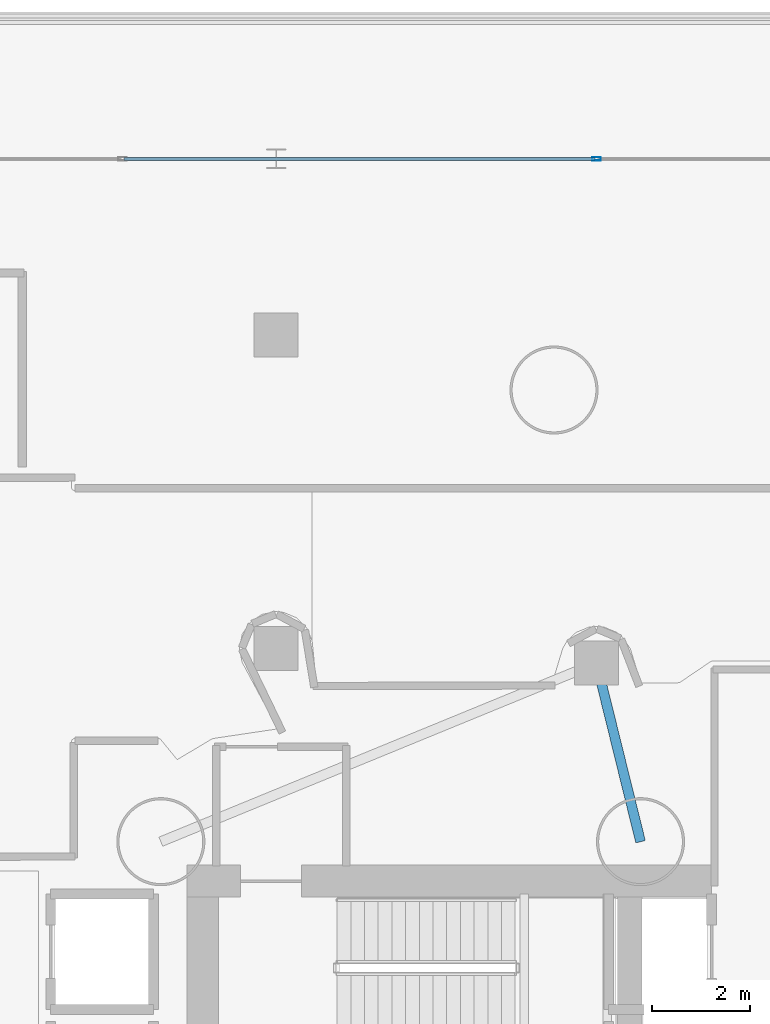
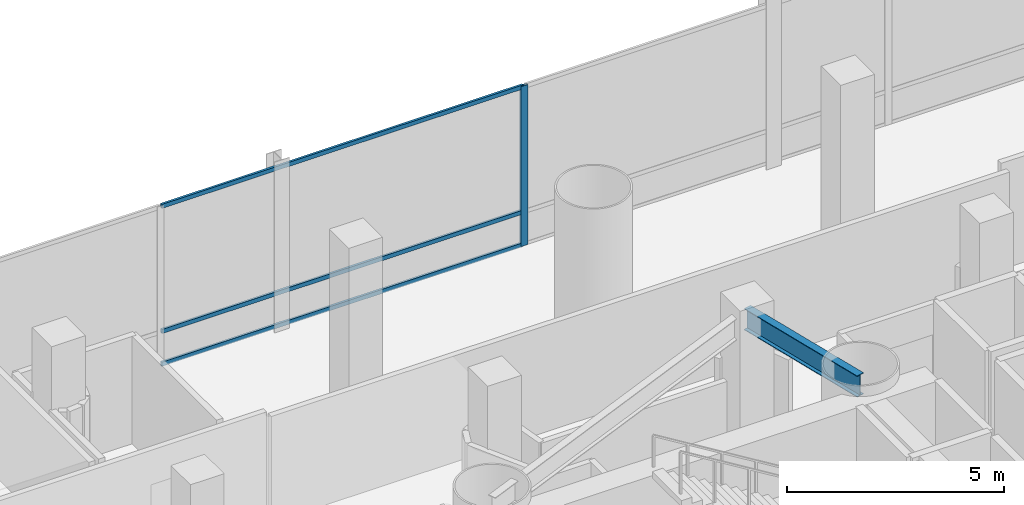
# One storey, part 17 of 39: 4 members, 1 beam, 1 element without a shape of its own.
"""IFC4 building model written with IfcOpenShell, lengths in metres."""

from ifc_helpers import new_model, si_unit, direction, frame, origin, origin_2d, place, context, subcontext, project, spatial, hollow_rectangle, i_section, extrude, material, layer, layer_set, material_profile, profile_set, type_object, element, aggregate, save


model = new_model("IFC4")

# Units and contexts
model_context = context("Model", 3, precision=1e-05, world=origin(), true_north=direction((0.0, 1.0)))
body_context = subcontext(model_context, "Body", "Model", "MODEL_VIEW")
ifc_project = project(units=[si_unit("LENGTHUNIT", "METRE"), si_unit("AREAUNIT", "SQUARE_METRE"), si_unit("VOLUMEUNIT", "CUBIC_METRE"), si_unit("PLANEANGLEUNIT", "RADIAN"), si_unit("MASSUNIT", "GRAM", prefix="KILO")], contexts=[model_context])

# Site, building, storey
site_placement = place(None, origin())
site = spatial("IfcSite", under=ifc_project, at=site_placement, CompositionType="ELEMENT")
building_placement = place(site_placement, origin())
building = spatial("IfcBuilding", under=site, at=building_placement, Name="Qianvela Tower", CompositionType="ELEMENT")
storey_placement = place(building_placement, frame((0.0, 0.0, 15.800048828125)))
storey = spatial("IfcBuildingStorey", under=building, at=storey_placement, Name="L03", CompositionType="ELEMENT", Elevation=15.800048828125)

# Beam
ifc_material_1 = material(Name="Steel Q355B", Category="steel")
ifc_material_profile_1 = material_profile(ifc_material_1, i_section(OverallWidth=0.199951171875, OverallDepth=0.60009765625, WebThickness=0.010986328125, FlangeThickness=0.01708984375, at=origin_2d()), Name="HN600x200x11x17")
ifc_profile_set_1 = profile_set([ifc_material_profile_1], Name="Steel Q355B")
beam_type = type_object("IfcBeamType", Name="BM-HN600-GIRD", PredefinedType="BEAM", material=ifc_profile_set_1)
beam_placement = place(storey_placement, frame((38.39990234375, 33.550048828125, 4.197998046875), z_axis=(-0.239386436846, 0.970924370821, 0.0), x_axis=(-0.970924370821, -0.239386436846, 0.0)))
element("IfcBeam", 1, at=beam_placement, inside=storey, type_object=beam_type, Name="L03 Core Tie Girder 39", PredefinedType="BEAM", context=body_context, shape_type="SweptSolid", body=[
    extrude(i_section(OverallWidth=0.199951171875, OverallDepth=0.60009765625, WebThickness=0.010986328125, FlangeThickness=0.01708984375, at=origin_2d()), origin(), (0.0, 0.0, 1.0), 3.75927734375),
])

# Curtain wall, members
ifc_material_2 = material(Name="Anodised Architectural Aluminium and Low-E Glass", Category="aluminium")
ifc_layer = layer(ifc_material_2, 0.179931640625)
ifc_layer_set = layer_set([ifc_layer], Name="Anodised Architectural Aluminium and Low-E Glass")
curtain_wall_type = type_object("IfcCurtainWallType", Name="CW-COMMONS", PredefinedType="USERDEFINED", material=ifc_layer_set)
curtain_wall_placement = place(storey_placement, origin())
curtain_wall = element("IfcCurtainWall", 2, at=curtain_wall_placement, inside=storey, type_object=curtain_wall_type, Name="L03 CW-COMMONS Curtain Wall 05", ObjectType="CURTAIN_WALL_SYSTEM", PredefinedType="USERDEFINED")
ifc_material_3 = material(Name="Anodised Architectural Aluminium 6063-T6", Category="aluminium")
ifc_material_profile_2 = material_profile(ifc_material_3, hollow_rectangle(XDim=0.070068359375, YDim=0.179931640625, WallThickness=0.0048828125, at=origin_2d()), Name="ALU-MULL-70x180")
ifc_profile_set_2 = profile_set([ifc_material_profile_2], Name="Anodised Architectural Aluminium 6063-T6")
member_type_1 = type_object("IfcMemberType", Name="CW-COMMONS-MULL", PredefinedType="MULLION", material=ifc_profile_set_2)
member_1_placement = place(storey_placement, frame((37.5, 47.5, 0.0), z_axis=(0.0, 0.0, 1.0), x_axis=(0.0, -1.0, 0.0)))
member_1 = element("IfcMember", 3, at=member_1_placement, type_object=member_type_1, Name="CW-2 mullion 4", PredefinedType="MULLION", context=body_context, shape_type="SweptSolid", body=[
    extrude(hollow_rectangle(XDim=0.070068359375, YDim=0.179931640625, WallThickness=0.0048828125, at=origin_2d()), origin(), (0.0, 0.0, 1.0), 4.5),
])
ifc_material_4 = material(Name="Anodised Architectural Aluminium 6063-T6", Category="aluminium")
ifc_material_profile_3 = material_profile(ifc_material_4, hollow_rectangle(XDim=0.06005859375, YDim=0.114990234375, WallThickness=0.00390625, at=origin_2d()), Name="ALU-TRAN-60x115")
ifc_profile_set_3 = profile_set([ifc_material_profile_3], Name="Anodised Architectural Aluminium 6063-T6")
member_type_2 = type_object("IfcMemberType", Name="CW-COMMONS-TRAN", PredefinedType="USERDEFINED", material=ifc_profile_set_3)
member_2_placement = place(storey_placement, frame((37.465087890625, 47.5, 0.030029296875), z_axis=(-1.0, 0.0, 0.0), x_axis=(0.0, -1.0, 0.0)))
member_2 = element("IfcMember", 4, at=member_2_placement, type_object=member_type_2, Name="CW-2 transom 4.1", ObjectType="TRANSOM", PredefinedType="USERDEFINED", context=body_context, shape_type="SweptSolid", body=[
    extrude(hollow_rectangle(XDim=0.06005859375, YDim=0.114990234375, WallThickness=0.00390625, at=origin_2d()), origin(), (0.0, 0.0, 1.0), 9.613525390625),
])
member_3_placement = place(storey_placement, frame((37.465087890625, 47.5, 0.949951171875), z_axis=(-1.0, 0.0, 0.0), x_axis=(0.0, -1.0, 0.0)))
member_3 = element("IfcMember", 5, at=member_3_placement, type_object=member_type_2, Name="CW-2 transom 4.2", ObjectType="TRANSOM", PredefinedType="USERDEFINED", context=body_context, shape_type="SweptSolid", body=[
    extrude(hollow_rectangle(XDim=0.06005859375, YDim=0.114990234375, WallThickness=0.00390625, at=origin_2d()), origin(), (0.0, 0.0, 1.0), 9.613525390625),
])
member_4_placement = place(storey_placement, frame((37.465087890625, 47.5, 4.469970703125), z_axis=(-1.0, 0.0, 0.0), x_axis=(0.0, -1.0, 0.0)))
member_4 = element("IfcMember", 6, at=member_4_placement, type_object=member_type_2, Name="CW-2 transom 4.3", ObjectType="TRANSOM", PredefinedType="USERDEFINED", context=body_context, shape_type="SweptSolid", body=[
    extrude(hollow_rectangle(XDim=0.06005859375, YDim=0.114990234375, WallThickness=0.00390625, at=origin_2d()), origin(), (0.0, 0.0, 1.0), 9.613525390625),
])
aggregate(curtain_wall, [member_1, member_2, member_3, member_4])

save(model, "model.ifc")
